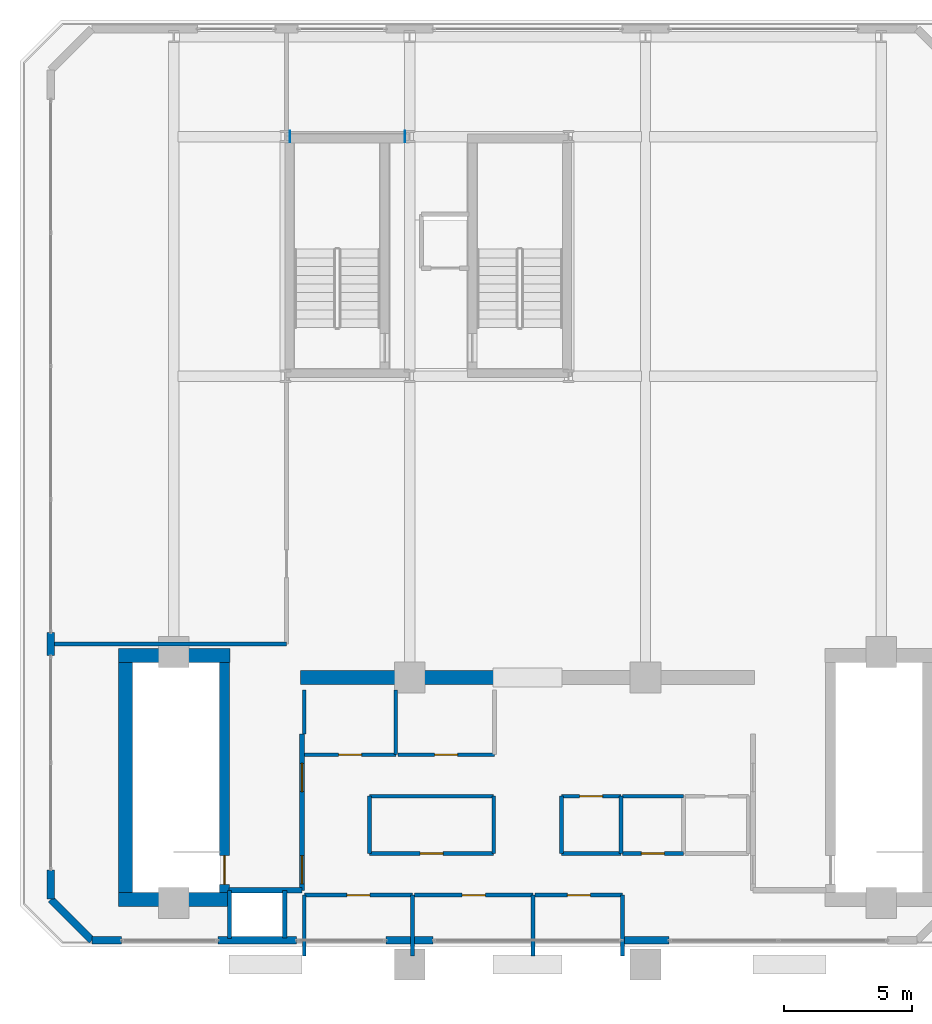
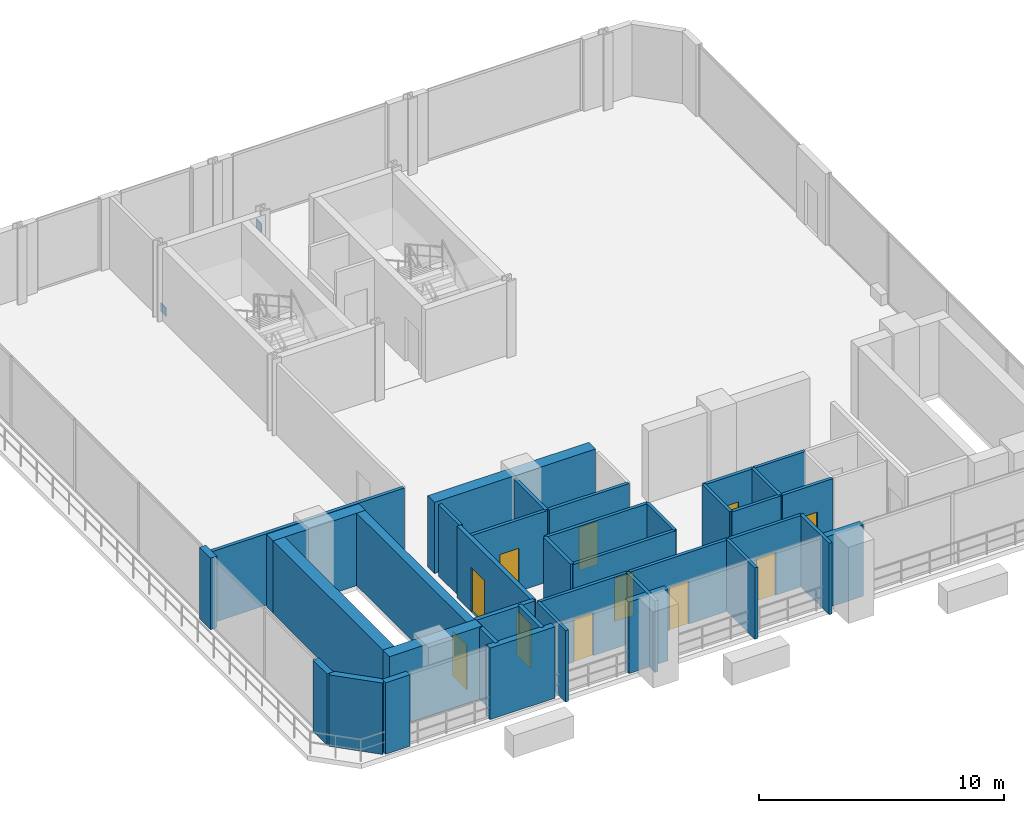
# One storey, part 21 of 26: 38 walls, 11 doors, 2 plates, 11 openings.
"""IFC4 building model written with IfcOpenShell, lengths in metres."""

import ifcopenshell
import ifcopenshell.guid

model = None  # the IFC model being written
_history = None  # IfcOwnerHistory: only IFC2X3 demands one
_inside = {}  # id of a spatial element -> (the spatial element, [elements in it])
_under = {}  # id of a project, library or spatial element -> (it, [spatial elements below it])
_declared = {}  # id of a project -> (the project, [libraries it declares])
_typed = {}  # id of a type object -> (the type object, [elements of that type])
_made_of = {}  # id of a material, layer set ... -> (it, [elements and type objects made of it])


def new_model(schema):
    """Start an empty IFC model of exactly this schema.

    Asked for "IFC4X3", IfcOpenShell would pick the latest addendum, in which some entities
    have other attributes; the version numbers below select the first issue.
    IFC2X3 requires an IfcOwnerHistory on every rooted entity: one is made here for all.
    """
    global model, _history
    if schema == "IFC4X3":
        model = ifcopenshell.file(schema_version=(4, 3, 0, 0))
    else:
        model = ifcopenshell.file(schema=schema)
    _inside.clear()
    _under.clear()
    _declared.clear()
    _typed.clear()
    _made_of.clear()
    _history = None
    if model.schema == "IFC2X3":
        org = make("IfcOrganization", Name="unknown")
        user = make(
            "IfcPersonAndOrganization",
            ThePerson=make("IfcPerson", FamilyName="unknown"),
            TheOrganization=org,
        )
        app = make(
            "IfcApplication",
            ApplicationDeveloper=org,
            Version="unknown",
            ApplicationFullName="unknown",
            ApplicationIdentifier="unknown",
        )
        _history = make(
            "IfcOwnerHistory",
            OwningUser=user,
            OwningApplication=app,
            ChangeAction="ADDED",
            CreationDate=0,
        )
    return model


def make(cls, **values):
    """One entity of the class cls with the attributes given. An attribute that is None is left unset."""
    return model.create_entity(
        cls, **{name: value for name, value in values.items() if value is not None}
    )


def rooted(cls, **values):
    """An entity with a GlobalId (a new one), such as an element, a storey or a relation."""
    return make(cls, GlobalId=ifcopenshell.guid.new(), OwnerHistory=_history, **values)


def si_unit(unit_type, name, prefix=None):
    """IfcSIUnit, for example si_unit("LENGTHUNIT", "METRE", prefix="MILLI")."""
    return make("IfcSIUnit", UnitType=unit_type, Prefix=prefix, Name=name)


def assignment(units):
    """IfcUnitAssignment: the units of a project."""
    return None if units is None else make("IfcUnitAssignment", Units=units)


def point(xyz):
    """IfcCartesianPoint."""
    return None if xyz is None else make("IfcCartesianPoint", Coordinates=xyz)


def direction(xyz):
    """IfcDirection."""
    return None if xyz is None else make("IfcDirection", DirectionRatios=xyz)


def frame(location, z_axis=None, x_axis=None):
    """IfcAxis2Placement3D, a coordinate frame: its origin and axes. An axis left out is left unset."""
    return make(
        "IfcAxis2Placement3D",
        Location=point(location),
        Axis=direction(z_axis),
        RefDirection=direction(x_axis),
    )


def frame_2d(location, x_axis=None):
    """IfcAxis2Placement2D, a coordinate frame in the plane: its origin and x axis."""
    return make(
        "IfcAxis2Placement2D", Location=point(location), RefDirection=direction(x_axis)
    )


def origin():
    """The frame at (0, 0, 0) with its axes left unset."""
    return frame((0.0, 0.0, 0.0))


def origin_2d():
    """The frame at (0, 0) in the plane with its x axis left unset."""
    return frame_2d((0.0, 0.0))


def place(relative_to, where):
    """IfcLocalPlacement: puts the frame where relative to a parent placement (None: the world)."""
    return make(
        "IfcLocalPlacement", PlacementRelTo=relative_to, RelativePlacement=where
    )


def context(
    kind, dimensions, precision=None, world=None, true_north=None, identifier=None
):
    """IfcGeometricRepresentationContext, for example the 3D "Model" context."""
    return make(
        "IfcGeometricRepresentationContext",
        ContextIdentifier=identifier,
        ContextType=kind,
        CoordinateSpaceDimension=dimensions,
        Precision=precision,
        WorldCoordinateSystem=world,
        TrueNorth=true_north,
    )


def subcontext(parent, identifier, kind, view, scale=None):
    """IfcGeometricRepresentationSubContext, for example "Body" below "Model"."""
    return make(
        "IfcGeometricRepresentationSubContext",
        ContextIdentifier=identifier,
        ContextType=kind,
        ParentContext=parent,
        TargetScale=scale,
        TargetView=view,
    )


def project(units=None, contexts=None):
    """IfcProject with its units and contexts."""
    return rooted(
        "IfcProject",
        Name="project",
        RepresentationContexts=contexts,
        UnitsInContext=assignment(units),
    )


def spatial(cls, under=None, at=None, **own):
    """A site, building, storey or space (cls), placed at a placement, below another one or the project."""
    s = rooted(cls, ObjectPlacement=at, **own)
    if under is not None:
        _under.setdefault(under.id(), (under, []))[1].append(s)
    return s


def profile(cls, at=None, kind="AREA", **sizes):
    """A parametric profile (cls). Its sizes go by their IFC names, for example OverallWidth=200.0."""
    return make(cls, ProfileType=kind, Position=at, **sizes)


def rectangle(**sizes):
    """IfcRectangleProfileDef."""
    return profile("IfcRectangleProfileDef", **sizes)


def extrude(swept, where, along, depth):
    """IfcExtrudedAreaSolid: the profile swept, set in the frame where, extruded along a direction by depth."""
    return make(
        "IfcExtrudedAreaSolid",
        SweptArea=swept,
        Position=where,
        ExtrudedDirection=direction(along),
        Depth=depth,
    )


def shape(context_of_items, identifier, shape_type, items):
    """IfcShapeRepresentation: the items that make up one representation, for example the "Body"."""
    return make(
        "IfcShapeRepresentation",
        ContextOfItems=context_of_items,
        RepresentationIdentifier=identifier,
        RepresentationType=shape_type,
        Items=items,
    )


def material(Name=None, Category=None):
    """IfcMaterial."""
    return make("IfcMaterial", Name=Name, Category=Category)


def layer(
    of_material, thickness, ventilated=None, Name=None, Category=None, Priority=None
):
    """IfcMaterialLayer: one layer of a wall or slab, of a material (None: an air gap)."""
    return make(
        "IfcMaterialLayer",
        Material=of_material,
        LayerThickness=thickness,
        IsVentilated=ventilated,
        Name=Name,
        Category=Category,
        Priority=Priority,
    )


def layer_set(layers, Name=None):
    """IfcMaterialLayerSet."""
    return make("IfcMaterialLayerSet", MaterialLayers=layers, LayerSetName=Name)


def made_of(thing, what):
    """Note that an element or type object is made of a material, layer set ...; save() writes the relation."""
    if what is not None:
        _made_of.setdefault(what.id(), (what, []))[1].append(thing)
    return thing


def type_object(cls, material=None, **own):
    """A type object (cls), such as IfcWallType, which elements share."""
    return made_of(rooted(cls, **own), material)


def element(
    cls,
    number,
    at=None,
    inside=None,
    cuts=None,
    type_object=None,
    material=None,
    context=None,
    identifier="Body",
    shape_type=None,
    held_by="IfcProductDefinitionShape",
    body=None,
    shapes=None,
    **own,
):
    """One element of the class cls, such as IfcWall. Its Tag is "e" and its number.

    at: its placement. inside: the storey or other place that contains it. cuts: it is an
    opening in that element (IfcRelVoidsElement). A single representation is given by context,
    identifier, shape_type and body (its items); several are given by shapes. held_by: the class
    of the entity that holds the representations. save() writes the other relations.
    """
    e = rooted(cls, Tag="e%d" % number, ObjectPlacement=at, **own)
    if body is not None:
        shapes = [shape(context, identifier, shape_type, body)]
    if shapes is not None:
        e.Representation = make(held_by, Representations=shapes)
    if inside is not None:
        _inside.setdefault(inside.id(), (inside, []))[1].append(e)
    if cuts is not None:
        rooted(
            "IfcRelVoidsElement", RelatingBuildingElement=cuts, RelatedOpeningElement=e
        )
    if type_object is not None:
        _typed.setdefault(type_object.id(), (type_object, []))[1].append(e)
    return made_of(e, material)


def fill(opening, filler):
    """IfcRelFillsElement: the door or window that sits in an opening."""
    return rooted(
        "IfcRelFillsElement",
        RelatingOpeningElement=opening,
        RelatedBuildingElement=filler,
    )


def aggregate(whole, parts):
    """IfcRelAggregates: a whole, such as a stair, and the parts it consists of."""
    return rooted("IfcRelAggregates", RelatingObject=whole, RelatedObjects=parts)


def save(model, path):
    """Write the relations noted so far, then the file.

    IfcRelAggregates (storeys below a building ...), IfcRelContainedInSpatialStructure (elements
    in a storey), IfcRelDefinesByType, IfcRelAssociatesMaterial and IfcRelDeclares: one each for
    every whole, place, type object, material and project.
    """
    for whole, parts in _under.values():
        aggregate(whole, parts)
    for where, things in _inside.values():
        rooted(
            "IfcRelContainedInSpatialStructure",
            RelatedElements=things,
            RelatingStructure=where,
        )
    for kind, things in _typed.values():
        rooted("IfcRelDefinesByType", RelatedObjects=things, RelatingType=kind)
    for what, things in _made_of.values():
        rooted("IfcRelAssociatesMaterial", RelatedObjects=things, RelatingMaterial=what)
    for by, libraries in _declared.values():
        rooted("IfcRelDeclares", RelatingContext=by, RelatedDefinitions=libraries)
    model.write(path)


model = new_model("IFC4")

# Units and contexts
model_context = context("Model", 3, precision=1e-05, world=origin(), true_north=direction((0.0, 1.0)))
body_context = subcontext(model_context, "Body", "Model", "MODEL_VIEW")
ifc_project = project(units=[si_unit("LENGTHUNIT", "METRE"), si_unit("AREAUNIT", "SQUARE_METRE"), si_unit("VOLUMEUNIT", "CUBIC_METRE"), si_unit("PLANEANGLEUNIT", "RADIAN"), si_unit("MASSUNIT", "GRAM", prefix="KILO")], contexts=[model_context])

# Site, building, storey
site_placement = place(None, origin())
site = spatial("IfcSite", under=ifc_project, at=site_placement, CompositionType="ELEMENT")
building_placement = place(site_placement, origin())
building = spatial("IfcBuilding", under=site, at=building_placement, Name="Zuhayl Quay Hotel", CompositionType="ELEMENT")
storey_placement = place(building_placement, frame((0.0, 0.0, 301.050048828125)))
storey = spatial("IfcBuildingStorey", under=building, at=storey_placement, Name="Crown 2", CompositionType="ELEMENT", Elevation=301.050048828125)

# Plates
ifc_material_1 = material(Name="Steel ASTM A572 Grade 50", Category="steel")
ifc_layer_1 = layer(ifc_material_1, 0.030029296875, Name="Steel ASTM A572 Grade 50", Category="steel")
ifc_layer_set_1 = layer_set([ifc_layer_1], Name="Steel ASTM A572 Grade 50")
plate_type = type_object("IfcPlateType", Name="TP_CAP_PLATE_30", PredefinedType="USERDEFINED", material=ifc_layer_set_1)
for number, where, z_axis, x_axis, name in (
    (1, (-9.2705078125, 34.449951171875, 0.1240234375), (0.0, 0.0, 1.0), (-1.0, 0.0, 0.0), "Truss Node Cap Assembly KN2"),
    (2, (-4.779541015625, 34.449951171875, 2.736083984375), (0.0, 0.0, 1.0), (1.0, 0.0, 0.0), "Truss Node Cap Assembly KN2"),
):
    element("IfcPlate", number, at=place(storey_placement, frame(where, z_axis=z_axis, x_axis=x_axis)), inside=storey, type_object=plate_type, Name=name, ObjectType="GUSSET PLATE", PredefinedType="USERDEFINED", context=body_context, shape_type="SweptSolid", body=[
        extrude(rectangle(XDim=0.030029296875, YDim=0.43994140625, at=origin_2d()), origin(), (0.0, 0.0, 1.0), 0.43994140625),
    ])

# Walls
ifc_material_2 = material(Name="Concrete C50/60", Category="concrete")
ifc_layer_2 = layer(ifc_material_2, 0.550048828125, Name="Concrete C50/60", Category="concrete")
ifc_layer_set_2 = layer_set([ifc_layer_2], Name="Concrete C50/60")
wall_type_1 = type_object("IfcWallType", Name="WL_CORE_550", PredefinedType="SHEAR", material=ifc_layer_set_2)
wall_1_placement = place(storey_placement, frame((-15.9599609375, 14.205078125, 0.0), z_axis=(0.0, 0.0, 1.0), x_axis=(1.0, 0.0, 0.0)))
element("IfcWall", 3, at=wall_1_placement, inside=storey, type_object=wall_type_1, Name="Crown 2 Core Shear Wall CW_NW", PredefinedType="SHEAR", context=body_context, shape_type="SweptSolid", body=[
    extrude(rectangle(XDim=4.35986328125, YDim=0.550048828125, at=frame_2d((2.179931640625, 0.0))), origin(), (0.0, 0.0, 1.0), 3.60986328125),
])
wall_2_placement = place(storey_placement, frame((-15.68505859375, 4.969970703125, 0.0), z_axis=(0.0, 0.0, 1.0), x_axis=(0.0, 1.0, 0.0)))
element("IfcWall", 4, at=wall_2_placement, inside=storey, type_object=wall_type_1, Name="Crown 2 Core Shear Wall CW_W", PredefinedType="SHEAR", context=body_context, shape_type="SweptSolid", body=[
    extrude(rectangle(XDim=8.9599609375, YDim=0.550048828125, at=frame_2d((4.47998046875, 0.0))), origin(), (0.0, 0.0, 1.0), 3.60986328125),
])
wall_3_placement = place(storey_placement, frame((-15.9599609375, 4.695068359375, 0.0), z_axis=(0.0, 0.0, 1.0), x_axis=(1.0, 0.0, 0.0)))
element("IfcWall", 5, at=wall_3_placement, inside=storey, type_object=wall_type_1, Name="Crown 2 Core Shear Wall CW_SW", PredefinedType="SHEAR", context=body_context, shape_type="SweptSolid", body=[
    extrude(rectangle(XDim=4.35986328125, YDim=0.550048828125, at=frame_2d((2.179931640625, 0.0))), origin(), (0.0, 0.0, 1.0), 3.60986328125),
])
wall_4_placement = place(storey_placement, frame((-8.85009765625, 13.35009765625, 0.0), z_axis=(0.0, 0.0, 1.0), x_axis=(1.0, 0.0, 0.0)))
element("IfcWall", 6, at=wall_4_placement, inside=storey, type_object=wall_type_1, Name="Crown 2 Core Shear Wall CW_NC_W", PredefinedType="SHEAR", context=body_context, shape_type="SweptSolid", body=[
    extrude(rectangle(XDim=7.60009765625, YDim=0.550048828125, at=frame_2d((3.800048828125, 0.0))), origin(), (0.0, 0.0, 1.0), 3.56005859375),
])
ifc_material_3 = material(Name="Precast concrete C45/55", Category="concrete")
ifc_layer_3 = layer(ifc_material_3, 0.300048828125, Name="Precast concrete C45/55", Category="concrete")
ifc_layer_set_3 = layer_set([ifc_layer_3], Name="Precast concrete C45/55")
wall_type_2 = type_object("IfcWallType", Name="WL_EXT_300", PredefinedType="STANDARD", material=ifc_layer_set_3)
wall_5_placement = place(storey_placement, frame((-18.60009765625, 4.699951171875, 0.0), z_axis=(0.0, 0.0, 1.0), x_axis=(0.0, 1.0, 0.0)))
element("IfcWall", 7, at=wall_5_placement, inside=storey, type_object=wall_type_2, Name="Crown 2 Exterior Precast Wall ENV_CR2_E1_EW1", PredefinedType="STANDARD", context=body_context, shape_type="SweptSolid", body=[
    extrude(rectangle(XDim=1.150146484375, YDim=0.300048828125, at=frame_2d((0.5751953125, 0.0))), origin(), (0.0, 0.0, 1.0), 3.56005859375),
])
wall_6_placement = place(storey_placement, frame((-18.60009765625, 14.199951171875, 0.0), z_axis=(0.0, 0.0, 1.0), x_axis=(0.0, 1.0, 0.0)))
element("IfcWall", 8, at=wall_6_placement, inside=storey, type_object=wall_type_2, Name="Crown 2 Exterior Precast Wall ENV_CR2_E1_EW2", PredefinedType="STANDARD", context=body_context, shape_type="SweptSolid", body=[
    extrude(rectangle(XDim=0.900146484375, YDim=0.300048828125, at=frame_2d((0.4501953125, 0.0))), origin(), (0.0, 0.0, 1.0), 3.56005859375),
])
for number, where, z_axis, x_axis, name in (
    (9, (5.52001953125, 3.10009765625, 0.0), (0.0, 0.0, 1.0), (-1.0, 0.0, 0.0), "Crown 2 Exterior Precast Wall ENV_CR2_E7_EW2"),
    (10, (-3.679931640625, 3.10009765625, 0.0), (0.0, 0.0, 1.0), (-1.0, 0.0, 0.0), "Crown 2 Exterior Precast Wall ENV_CR2_E7_EW3"),
):
    element("IfcWall", number, at=place(storey_placement, frame(where, z_axis=z_axis, x_axis=x_axis)), inside=storey, type_object=wall_type_2, Name=name, PredefinedType="STANDARD", context=body_context, shape_type="SweptSolid", body=[
        extrude(rectangle(XDim=1.840087890625, YDim=0.300048828125, at=frame_2d((0.919921875, 0.0))), origin(), (0.0, 0.0, 1.0), 3.56005859375),
    ])
wall_7_placement = place(storey_placement, frame((-9.02001953125, 3.10009765625, 0.0), z_axis=(0.0, 0.0, 1.0), x_axis=(-1.0, 0.0, 0.0)))
element("IfcWall", 11, at=wall_7_placement, inside=storey, type_object=wall_type_2, Name="Crown 2 Exterior Precast Wall ENV_CR2_E7_EW4", PredefinedType="STANDARD", context=body_context, shape_type="SweptSolid", body=[
    extrude(rectangle(XDim=3.06005859375, YDim=0.300048828125, at=frame_2d((1.530029296875, 0.0))), origin(), (0.0, 0.0, 1.0), 3.56005859375),
])
wall_8_placement = place(storey_placement, frame((-15.85009765625, 3.10009765625, 0.0), z_axis=(0.0, 0.0, 1.0), x_axis=(-1.0, 0.0, 0.0)))
element("IfcWall", 12, at=wall_8_placement, inside=storey, type_object=wall_type_2, Name="Crown 2 Exterior Precast Wall ENV_CR2_E7_EW5", PredefinedType="STANDARD", context=body_context, shape_type="SweptSolid", body=[
    extrude(rectangle(XDim=1.14990234375, YDim=0.300048828125, at=frame_2d((0.574951171875, 0.0))), origin(), (0.0, 0.0, 1.0), 3.56005859375),
])
wall_9_placement = place(storey_placement, frame((-17.0, 3.10009765625, 0.0), z_axis=(0.0, 0.0, 1.0), x_axis=(-0.707160727918, 0.707052830339, 0.0)))
element("IfcWall", 13, at=wall_9_placement, inside=storey, type_object=wall_type_2, Name="Crown 2 Exterior Precast Wall ENV_CR2_EW8", PredefinedType="STANDARD", context=body_context, shape_type="SweptSolid", body=[
    extrude(rectangle(XDim=2.2626953125, YDim=0.300048828125, at=frame_2d((1.13134765625, 0.0))), origin(), (0.0, 0.0, 1.0), 3.56005859375),
])

# Wall, opening, door
ifc_material_4 = material(Name="Acoustic Gypsum Partition STC-58")
ifc_layer_4 = layer(ifc_material_4, 0.14990234375, Name="Acoustic Gypsum Partition STC-58")
ifc_layer_set_4 = layer_set([ifc_layer_4], Name="Acoustic Gypsum Partition STC-58")
wall_type_3 = type_object("IfcWallType", Name="WL_PART_150", PredefinedType="PARTITIONING", material=ifc_layer_set_4)
wall_10_placement = place(storey_placement, frame((-8.7099609375, 4.860107421875, 0.0), z_axis=(0.0, 0.0, 1.0), x_axis=(1.0, 0.0, 0.0)))
wall_10 = element("IfcWall", 14, at=wall_10_placement, inside=storey, type_object=wall_type_3, Name="Crown 2 Partition IW_Crown 2_FMP_S1_N", PredefinedType="PARTITIONING", context=body_context, shape_type="SweptSolid", body=[
    extrude(rectangle(XDim=4.219970703125, YDim=0.14990234375, at=frame_2d((2.10986328125, 0.0))), origin(), (0.0, 0.0, 1.0), 3.56005859375),
])
opening_1_placement = place(wall_10_placement, frame((1.659912109375, 0.0, 0.0)))
opening_1 = element("IfcOpeningElement", 15, at=opening_1_placement, cuts=wall_10, Name="Opening D06", PredefinedType="OPENING", context=body_context, shape_type="SweptSolid", body=[
    extrude(rectangle(XDim=0.89990234375, YDim=2.14990234375, at=frame_2d((0.449951171875, 1.074951171875))), frame((0.0, 0.0849609375, 0.0), z_axis=(0.0, -1.0, 0.0), x_axis=(1.0, 0.0, 0.0)), (0.0, 0.0, 1.0), 0.169921875),
])
ifc_material_5 = material(Name="Steel ASTM A992 Grade 50", Category="steel")
door_type_1 = type_object("IfcDoorType", Name="DR_INT_900", OperationType="NOTDEFINED", PredefinedType="DOOR", material=ifc_material_5)
door_1_placement = place(opening_1_placement, origin())
door_1 = element("IfcDoor", 16, at=door_1_placement, inside=storey, type_object=door_type_1, Name="Crown 2 Silverware Pantry Door", OperationType="SINGLE_SWING_LEFT", OverallHeight=2.14990234375, OverallWidth=0.89990234375, PredefinedType="DOOR", context=body_context, shape_type="SweptSolid", body=[
    extrude(rectangle(XDim=0.89990234375, YDim=2.14990234375, at=frame_2d((0.449951171875, 1.074951171875))), frame((0.0, 0.02490234375, 0.0), z_axis=(0.0, -1.0, 0.0), x_axis=(1.0, 0.0, 0.0)), (0.0, 0.0, 1.0), 0.050048828125),
])
fill(opening_1, door_1)

wall_11_placement = place(storey_placement, frame((-4.409912109375, 4.860107421875, 0.0), z_axis=(0.0, 0.0, 1.0), x_axis=(1.0, 0.0, 0.0)))
wall_11 = element("IfcWall", 17, at=wall_11_placement, inside=storey, type_object=wall_type_3, Name="Crown 2 Partition IW_Crown 2_FMP_S2_N", PredefinedType="PARTITIONING", context=body_context, shape_type="SweptSolid", body=[
    extrude(rectangle(XDim=4.619873046875, YDim=0.14990234375, at=frame_2d((2.31005859375, 0.0))), origin(), (0.0, 0.0, 1.0), 3.56005859375),
])
opening_2_placement = place(wall_11_placement, frame((1.860107421875, 0.0, 0.0)))
opening_2 = element("IfcOpeningElement", 18, at=opening_2_placement, cuts=wall_11, Name="Opening D06", PredefinedType="OPENING", context=body_context, shape_type="SweptSolid", body=[
    extrude(rectangle(XDim=0.89990234375, YDim=2.14990234375, at=frame_2d((0.449951171875, 1.074951171875))), frame((0.0, 0.0849609375, 0.0), z_axis=(0.0, -1.0, 0.0), x_axis=(1.0, 0.0, 0.0)), (0.0, 0.0, 1.0), 0.169921875),
])
door_2_placement = place(opening_2_placement, origin())
door_2 = element("IfcDoor", 19, at=door_2_placement, inside=storey, type_object=door_type_1, Name="Crown 2 Crystal Store Door", OperationType="SINGLE_SWING_RIGHT", OverallHeight=2.14990234375, OverallWidth=0.89990234375, PredefinedType="DOOR", context=body_context, shape_type="SweptSolid", body=[
    extrude(rectangle(XDim=0.89990234375, YDim=2.14990234375, at=frame_2d((0.449951171875, 1.074951171875))), frame((0.0, 0.02490234375, 0.0), z_axis=(0.0, -1.0, 0.0), x_axis=(1.0, 0.0, 0.0)), (0.0, 0.0, 1.0), 0.050048828125),
])
fill(opening_2, door_2)

wall_12_placement = place(storey_placement, frame((0.2900390625, 4.860107421875, 0.0), z_axis=(0.0, 0.0, 1.0), x_axis=(1.0, 0.0, 0.0)))
wall_12 = element("IfcWall", 20, at=wall_12_placement, inside=storey, type_object=wall_type_3, Name="Crown 2 Partition IW_Crown 2_FMP_S3_N", PredefinedType="PARTITIONING", context=body_context, shape_type="SweptSolid", body=[
    extrude(rectangle(XDim=3.419921875, YDim=0.14990234375, at=frame_2d((1.7099609375, 0.0))), origin(), (0.0, 0.0, 1.0), 3.56005859375),
])
opening_3_placement = place(wall_12_placement, frame((1.260009765625, 0.0, 0.0)))
opening_3 = element("IfcOpeningElement", 21, at=opening_3_placement, cuts=wall_12, Name="Opening D06", PredefinedType="OPENING", context=body_context, shape_type="SweptSolid", body=[
    extrude(rectangle(XDim=0.89990234375, YDim=2.14990234375, at=frame_2d((0.449951171875, 1.074951171875))), frame((0.0, 0.0849609375, 0.0), z_axis=(0.0, -1.0, 0.0), x_axis=(1.0, 0.0, 0.0)), (0.0, 0.0, 1.0), 0.169921875),
])
door_3_placement = place(opening_3_placement, origin())
door_3 = element("IfcDoor", 22, at=door_3_placement, inside=storey, type_object=door_type_1, Name="Crown 2 China Linen Store Door", OperationType="SINGLE_SWING_LEFT", OverallHeight=2.14990234375, OverallWidth=0.89990234375, PredefinedType="DOOR", context=body_context, shape_type="SweptSolid", body=[
    extrude(rectangle(XDim=0.89990234375, YDim=2.14990234375, at=frame_2d((0.449951171875, 1.074951171875))), frame((0.0, 0.02490234375, 0.0), z_axis=(0.0, -1.0, 0.0), x_axis=(1.0, 0.0, 0.0)), (0.0, 0.0, 1.0), 0.050048828125),
])
fill(opening_3, door_3)

wall_13_placement = place(storey_placement, frame((-8.7099609375, 10.340087890625, 0.0), z_axis=(0.0, 0.0, 1.0), x_axis=(1.0, 0.0, 0.0)))
wall_13 = element("IfcWall", 23, at=wall_13_placement, inside=storey, type_object=wall_type_3, Name="Crown 2 Partition IW_Crown 2_FMP_N1_S", PredefinedType="PARTITIONING", context=body_context, shape_type="SweptSolid", body=[
    extrude(rectangle(XDim=3.570068359375, YDim=0.14990234375, at=frame_2d((1.78515625, 0.0))), origin(), (0.0, 0.0, 1.0), 3.56005859375),
])
opening_4_placement = place(wall_13_placement, frame((1.3349609375, 0.0, 0.0)))
opening_4 = element("IfcOpeningElement", 24, at=opening_4_placement, cuts=wall_13, Name="Opening D06", PredefinedType="OPENING", context=body_context, shape_type="SweptSolid", body=[
    extrude(rectangle(XDim=0.89990234375, YDim=2.14990234375, at=frame_2d((0.449951171875, 1.074951171875))), frame((0.0, 0.0849609375, 0.0), z_axis=(0.0, -1.0, 0.0), x_axis=(1.0, 0.0, 0.0)), (0.0, 0.0, 1.0), 0.169921875),
])
door_4_placement = place(opening_4_placement, origin())
door_4 = element("IfcDoor", 25, at=door_4_placement, inside=storey, type_object=door_type_1, Name="Crown 2 West Valet Bay Door", OperationType="SINGLE_SWING_RIGHT", OverallHeight=2.14990234375, OverallWidth=0.89990234375, PredefinedType="DOOR", context=body_context, shape_type="SweptSolid", body=[
    extrude(rectangle(XDim=0.89990234375, YDim=2.14990234375, at=frame_2d((0.449951171875, 1.074951171875))), frame((0.0, 0.02490234375, 0.0), z_axis=(0.0, -1.0, 0.0), x_axis=(1.0, 0.0, 0.0)), (0.0, 0.0, 1.0), 0.050048828125),
])
fill(opening_4, door_4)

wall_14_placement = place(storey_placement, frame((-5.06005859375, 10.340087890625, 0.0), z_axis=(0.0, 0.0, 1.0), x_axis=(1.0, 0.0, 0.0)))
wall_14 = element("IfcWall", 26, at=wall_14_placement, inside=storey, type_object=wall_type_3, Name="Crown 2 Partition IW_Crown 2_FMP_N2_S", PredefinedType="PARTITIONING", context=body_context, shape_type="SweptSolid", body=[
    extrude(rectangle(XDim=3.77001953125, YDim=0.14990234375, at=frame_2d((1.885009765625, 0.0))), origin(), (0.0, 0.0, 1.0), 3.56005859375),
])
opening_5_placement = place(wall_14_placement, frame((1.43505859375, 0.0, 0.0)))
opening_5 = element("IfcOpeningElement", 27, at=opening_5_placement, cuts=wall_14, Name="Opening D06", PredefinedType="OPENING", context=body_context, shape_type="SweptSolid", body=[
    extrude(rectangle(XDim=0.89990234375, YDim=2.14990234375, at=frame_2d((0.449951171875, 1.074951171875))), frame((0.0, 0.0849609375, 0.0), z_axis=(0.0, -1.0, 0.0), x_axis=(1.0, 0.0, 0.0)), (0.0, 0.0, 1.0), 0.169921875),
])
door_5_placement = place(opening_5_placement, origin())
door_5 = element("IfcDoor", 28, at=door_5_placement, inside=storey, type_object=door_type_1, Name="Crown 2 High-Zone Linen Bay Door", OperationType="SINGLE_SWING_LEFT", OverallHeight=2.14990234375, OverallWidth=0.89990234375, PredefinedType="DOOR", context=body_context, shape_type="SweptSolid", body=[
    extrude(rectangle(XDim=0.89990234375, YDim=2.14990234375, at=frame_2d((0.449951171875, 1.074951171875))), frame((0.0, 0.02490234375, 0.0), z_axis=(0.0, -1.0, 0.0), x_axis=(1.0, 0.0, 0.0)), (0.0, 0.0, 1.0), 0.050048828125),
])
fill(opening_5, door_5)

wall_15_placement = place(storey_placement, frame((-6.159912109375, 6.47998046875, 0.0), z_axis=(0.0, 0.0, 1.0), x_axis=(1.0, 0.0, 0.0)))
wall_15 = element("IfcWall", 29, at=wall_15_placement, inside=storey, type_object=wall_type_3, Name="Crown 2 Partition IW_Crown 2_CORE_SV_S", PredefinedType="PARTITIONING", context=body_context, shape_type="SweptSolid", body=[
    extrude(rectangle(XDim=4.83984375, YDim=0.14990234375, at=frame_2d((2.419921875, 0.0))), origin(), (0.0, 0.0, 1.0), 3.56005859375),
])
opening_6_placement = place(wall_15_placement, frame((1.969970703125, 0.0, 0.0)))
opening_6 = element("IfcOpeningElement", 30, at=opening_6_placement, cuts=wall_15, Name="Opening D06", PredefinedType="OPENING", context=body_context, shape_type="SweptSolid", body=[
    extrude(rectangle(XDim=0.89990234375, YDim=2.14990234375, at=frame_2d((0.449951171875, 1.074951171875))), frame((0.0, 0.0849609375, 0.0), z_axis=(0.0, -1.0, 0.0), x_axis=(1.0, 0.0, 0.0)), (0.0, 0.0, 1.0), 0.169921875),
])
door_6_placement = place(opening_6_placement, origin())
door_6 = element("IfcDoor", 31, at=door_6_placement, inside=storey, type_object=door_type_1, Name="Crown 2 Core Ice and Linen Store Door", OperationType="SINGLE_SWING_RIGHT", OverallHeight=2.14990234375, OverallWidth=0.89990234375, PredefinedType="DOOR", context=body_context, shape_type="SweptSolid", body=[
    extrude(rectangle(XDim=0.89990234375, YDim=2.14990234375, at=frame_2d((0.449951171875, 1.074951171875))), frame((0.0, 0.02490234375, 0.0), z_axis=(0.0, -1.0, 0.0), x_axis=(1.0, 0.0, 0.0)), (0.0, 0.0, 1.0), 0.050048828125),
])
fill(opening_6, door_6)

wall_16_placement = place(storey_placement, frame((1.320068359375, 8.719970703125, 0.0), z_axis=(0.0, 0.0, 1.0), x_axis=(1.0, 0.0, 0.0)))
wall_16 = element("IfcWall", 32, at=wall_16_placement, inside=storey, type_object=wall_type_3, Name="Crown 2 Partition IW_Crown 2_CORE_E1_N", PredefinedType="PARTITIONING", context=body_context, shape_type="SweptSolid", body=[
    extrude(rectangle(XDim=2.31982421875, YDim=0.14990234375, at=frame_2d((1.159912109375, 0.0))), origin(), (0.0, 0.0, 1.0), 3.56005859375),
])
opening_7_placement = place(wall_16_placement, frame((0.7099609375, 0.0, 0.0)))
opening_7 = element("IfcOpeningElement", 33, at=opening_7_placement, cuts=wall_16, Name="Opening D06", PredefinedType="OPENING", context=body_context, shape_type="SweptSolid", body=[
    extrude(rectangle(XDim=0.89990234375, YDim=2.14990234375, at=frame_2d((0.449951171875, 1.074951171875))), frame((0.0, 0.0849609375, 0.0), z_axis=(0.0, -1.0, 0.0), x_axis=(1.0, 0.0, 0.0)), (0.0, 0.0, 1.0), 0.169921875),
])
door_7_placement = place(opening_7_placement, origin())
door_7 = element("IfcDoor", 34, at=door_7_placement, inside=storey, type_object=door_type_1, Name="Crown 2 Floor Electrical Closet Door", OperationType="SINGLE_SWING_LEFT", OverallHeight=2.14990234375, OverallWidth=0.89990234375, PredefinedType="DOOR", context=body_context, shape_type="SweptSolid", body=[
    extrude(rectangle(XDim=0.89990234375, YDim=2.14990234375, at=frame_2d((0.449951171875, 1.074951171875))), frame((0.0, 0.02490234375, 0.0), z_axis=(0.0, -1.0, 0.0), x_axis=(1.0, 0.0, 0.0)), (0.0, 0.0, 1.0), 0.050048828125),
])
fill(opening_7, door_7)

wall_17_placement = place(storey_placement, frame((3.699951171875, 6.47998046875, 0.0), z_axis=(0.0, 0.0, 1.0), x_axis=(1.0, 0.0, 0.0)))
wall_17 = element("IfcWall", 35, at=wall_17_placement, inside=storey, type_object=wall_type_3, Name="Crown 2 Partition IW_Crown 2_CORE_E2_S", PredefinedType="PARTITIONING", context=body_context, shape_type="SweptSolid", body=[
    extrude(rectangle(XDim=2.380126953125, YDim=0.14990234375, at=frame_2d((1.18994140625, 0.0))), origin(), (0.0, 0.0, 1.0), 3.56005859375),
])
opening_8_placement = place(wall_17_placement, frame((0.739990234375, 0.0, 0.0)))
opening_8 = element("IfcOpeningElement", 36, at=opening_8_placement, cuts=wall_17, Name="Opening D06", PredefinedType="OPENING", context=body_context, shape_type="SweptSolid", body=[
    extrude(rectangle(XDim=0.89990234375, YDim=2.14990234375, at=frame_2d((0.449951171875, 1.074951171875))), frame((0.0, 0.0849609375, 0.0), z_axis=(0.0, -1.0, 0.0), x_axis=(1.0, 0.0, 0.0)), (0.0, 0.0, 1.0), 0.169921875),
])
door_8_placement = place(opening_8_placement, origin())
door_8 = element("IfcDoor", 37, at=door_8_placement, inside=storey, type_object=door_type_1, Name="Crown 2 Data Closet Door", OperationType="SINGLE_SWING_RIGHT", OverallHeight=2.14990234375, OverallWidth=0.89990234375, PredefinedType="DOOR", context=body_context, shape_type="SweptSolid", body=[
    extrude(rectangle(XDim=0.89990234375, YDim=2.14990234375, at=frame_2d((0.449951171875, 1.074951171875))), frame((0.0, 0.02490234375, 0.0), z_axis=(0.0, -1.0, 0.0), x_axis=(1.0, 0.0, 0.0)), (0.0, 0.0, 1.0), 0.050048828125),
])
fill(opening_8, door_8)

# Walls
for number, where, z_axis, x_axis, name in (
    (38, (-8.7099609375, 2.489990234375, 0.0), (0.0, 0.0, 1.0), (0.0, 1.0, 0.0), "Crown 2 Partition IW_Crown 2_FMP_S1_W"),
    (39, (-4.489990234375, 2.489990234375, 0.0), (0.0, 0.0, 1.0), (0.0, 1.0, 0.0), "Crown 2 Partition IW_Crown 2_FMP_S1_E"),
    (40, (0.2099609375, 2.489990234375, 0.0), (0.0, 0.0, 1.0), (0.0, 1.0, 0.0), "Crown 2 Partition IW_Crown 2_FMP_S2_E"),
    (41, (3.7099609375, 2.489990234375, 0.0), (0.0, 0.0, 1.0), (0.0, 1.0, 0.0), "Crown 2 Partition IW_Crown 2_FMP_S3_E"),
):
    element("IfcWall", number, at=place(storey_placement, frame(where, z_axis=z_axis, x_axis=x_axis)), inside=storey, type_object=wall_type_3, Name=name, PredefinedType="PARTITIONING", context=body_context, shape_type="SweptSolid", body=[
        extrude(rectangle(XDim=2.3701171875, YDim=0.14990234375, at=frame_2d((1.18505859375, 0.0))), origin(), (0.0, 0.0, 1.0), 3.56005859375),
    ])
wall_18_placement = place(storey_placement, frame((-8.7099609375, 11.14990234375, 0.0), z_axis=(0.0, 0.0, 1.0), x_axis=(0.0, 1.0, 0.0)))
element("IfcWall", 42, at=wall_18_placement, inside=storey, type_object=wall_type_3, Name="Crown 2 Partition IW_Crown 2_FMP_N1_W", PredefinedType="PARTITIONING", context=body_context, shape_type="SweptSolid", body=[
    extrude(rectangle(XDim=1.710205078125, YDim=0.14990234375, at=frame_2d((0.85498046875, 0.0))), origin(), (0.0, 0.0, 1.0), 3.56005859375),
])
wall_19_placement = place(storey_placement, frame((-5.139892578125, 10.340087890625, 0.0), z_axis=(0.0, 0.0, 1.0), x_axis=(0.0, 1.0, 0.0)))
element("IfcWall", 43, at=wall_19_placement, inside=storey, type_object=wall_type_3, Name="Crown 2 Partition IW_Crown 2_FMP_N1_E", PredefinedType="PARTITIONING", context=body_context, shape_type="SweptSolid", body=[
    extrude(rectangle(XDim=2.52001953125, YDim=0.14990234375, at=frame_2d((1.260009765625, 0.0))), origin(), (0.0, 0.0, 1.0), 3.56005859375),
])
wall_20_placement = place(storey_placement, frame((-6.159912109375, 8.719970703125, 0.0), z_axis=(0.0, 0.0, 1.0), x_axis=(1.0, 0.0, 0.0)))
element("IfcWall", 44, at=wall_20_placement, inside=storey, type_object=wall_type_3, Name="Crown 2 Partition IW_Crown 2_CORE_SV_N", PredefinedType="PARTITIONING", context=body_context, shape_type="SweptSolid", body=[
    extrude(rectangle(XDim=4.83984375, YDim=0.14990234375, at=frame_2d((2.419921875, 0.0))), origin(), (0.0, 0.0, 1.0), 3.56005859375),
])
for number, where, z_axis, x_axis, name in (
    (45, (-6.159912109375, 6.47998046875, 0.0), (0.0, 0.0, 1.0), (0.0, 1.0, 0.0), "Crown 2 Partition IW_Crown 2_CORE_SV_W"),
    (46, (-1.320068359375, 6.47998046875, 0.0), (0.0, 0.0, 1.0), (0.0, 1.0, 0.0), "Crown 2 Partition IW_Crown 2_CORE_SV_E"),
):
    element("IfcWall", number, at=place(storey_placement, frame(where, z_axis=z_axis, x_axis=x_axis)), inside=storey, type_object=wall_type_3, Name=name, PredefinedType="PARTITIONING", context=body_context, shape_type="SweptSolid", body=[
        extrude(rectangle(XDim=2.239990234375, YDim=0.14990234375, at=frame_2d((1.1201171875, 0.0))), origin(), (0.0, 0.0, 1.0), 3.56005859375),
    ])
wall_21_placement = place(storey_placement, frame((1.320068359375, 6.47998046875, 0.0), z_axis=(0.0, 0.0, 1.0), x_axis=(1.0, 0.0, 0.0)))
element("IfcWall", 47, at=wall_21_placement, inside=storey, type_object=wall_type_3, Name="Crown 2 Partition IW_Crown 2_CORE_E1_S", PredefinedType="PARTITIONING", context=body_context, shape_type="SweptSolid", body=[
    extrude(rectangle(XDim=2.31982421875, YDim=0.14990234375, at=frame_2d((1.159912109375, 0.0))), origin(), (0.0, 0.0, 1.0), 3.56005859375),
])
for number, where, z_axis, x_axis, name in (
    (48, (1.320068359375, 6.47998046875, 0.0), (0.0, 0.0, 1.0), (0.0, 1.0, 0.0), "Crown 2 Partition IW_Crown 2_CORE_E1_W"),
    (49, (3.639892578125, 6.47998046875, 0.0), (0.0, 0.0, 1.0), (0.0, 1.0, 0.0), "Crown 2 Partition IW_Crown 2_CORE_E1_E"),
):
    element("IfcWall", number, at=place(storey_placement, frame(where, z_axis=z_axis, x_axis=x_axis)), inside=storey, type_object=wall_type_3, Name=name, PredefinedType="PARTITIONING", context=body_context, shape_type="SweptSolid", body=[
        extrude(rectangle(XDim=2.239990234375, YDim=0.14990234375, at=frame_2d((1.1201171875, 0.0))), origin(), (0.0, 0.0, 1.0), 3.56005859375),
    ])
wall_22_placement = place(storey_placement, frame((3.699951171875, 8.719970703125, 0.0), z_axis=(0.0, 0.0, 1.0), x_axis=(1.0, 0.0, 0.0)))
element("IfcWall", 50, at=wall_22_placement, inside=storey, type_object=wall_type_3, Name="Crown 2 Partition IW_Crown 2_CORE_E2_N", PredefinedType="PARTITIONING", context=body_context, shape_type="SweptSolid", body=[
    extrude(rectangle(XDim=2.380126953125, YDim=0.14990234375, at=frame_2d((1.18994140625, 0.0))), origin(), (0.0, 0.0, 1.0), 3.56005859375),
])
ifc_layer_5 = layer(ifc_material_4, 0.159912109375, Name="Acoustic Gypsum Partition STC-58")
ifc_layer_set_5 = layer_set([ifc_layer_5], Name="Acoustic Gypsum Partition STC-58")
wall_type_4 = type_object("IfcWallType", Name="WL_PART_CORR_160", PredefinedType="PARTITIONING", material=ifc_layer_set_5)
wall_23_placement = place(storey_placement, frame((-18.5400390625, 14.64990234375, 0.0), z_axis=(0.0, 0.0, 1.0), x_axis=(1.0, 0.0, 0.0)))
element("IfcWall", 51, at=wall_23_placement, inside=storey, type_object=wall_type_4, Name="Crown 2 Partition IW_CR2_PLT_S", PredefinedType="PARTITIONING", context=body_context, shape_type="SweptSolid", body=[
    extrude(rectangle(XDim=9.14013671875, YDim=0.159912109375, at=frame_2d((4.570068359375, 0.0))), origin(), (0.0, 0.0, 1.0), 3.56005859375),
])
ifc_material_6 = material(Name="Gypsum Fireboard Assembly EI-90")
ifc_layer_6 = layer(ifc_material_6, 0.1650390625, Name="Gypsum Fireboard Assembly EI-90")
ifc_layer_set_6 = layer_set([ifc_layer_6], Name="Gypsum Fireboard Assembly EI-90")
wall_type_5 = type_object("IfcWallType", Name="WL_PART_SHAFT_160", PredefinedType="PARTITIONING", material=ifc_layer_set_6)
wall_24_placement = place(storey_placement, frame((-11.6298828125, 3.169921875, 0.0), z_axis=(0.0, 0.0, 1.0), x_axis=(0.0, 1.0, 0.0)))
element("IfcWall", 52, at=wall_24_placement, inside=storey, type_object=wall_type_5, Name="Crown 2 Partition IW_Crown 2_RISER_W", PredefinedType="PARTITIONING", context=body_context, shape_type="SweptSolid", body=[
    extrude(rectangle(XDim=1.880126953125, YDim=0.1650390625, at=frame_2d((0.93994140625, 0.0))), origin(), (0.0, 0.0, 1.0), 3.56005859375),
])
ifc_layer_7 = layer(ifc_material_6, 0.179931640625, Name="Gypsum Fireboard Assembly EI-90")
ifc_layer_set_7 = layer_set([ifc_layer_7], Name="Gypsum Fireboard Assembly EI-90")
wall_type_6 = type_object("IfcWallType", Name="WL_PART_SHAFT_180", PredefinedType="PARTITIONING", material=ifc_layer_set_7)
wall_25_placement = place(storey_placement, frame((-9.469970703125, 3.179931640625, 0.0), z_axis=(0.0, 0.0, 1.0), x_axis=(0.0, 1.0, 0.0)))
element("IfcWall", 53, at=wall_25_placement, inside=storey, type_object=wall_type_6, Name="Crown 2 Partition IW_Crown 2_RISER_E", PredefinedType="PARTITIONING", context=body_context, shape_type="SweptSolid", body=[
    extrude(rectangle(XDim=1.8701171875, YDim=0.179931640625, at=frame_2d((0.93505859375, 0.0))), origin(), (0.0, 0.0, 1.0), 3.56005859375),
])

# Wall, openings, doors
ifc_material_7 = material(Name="Gypsum Fireboard Assembly EI-120")
ifc_layer_8 = layer(ifc_material_7, 0.199951171875, Name="Gypsum Fireboard Assembly EI-120")
ifc_layer_set_8 = layer_set([ifc_layer_8], Name="Gypsum Fireboard Assembly EI-120")
wall_type_7 = type_object("IfcWallType", Name="WL_PART_SHAFT_200", PredefinedType="PARTITIONING", material=ifc_layer_set_8)
wall_26_placement = place(storey_placement, frame((-8.800048828125, 5.050048828125, 0.0), z_axis=(0.0, 0.0, 1.0), x_axis=(0.0, 1.0, 0.0)))
wall_26 = element("IfcWall", 54, at=wall_26_placement, inside=storey, type_object=wall_type_7, Name="Crown 2 Partition IW_Crown 2_FSAE_W_E", PredefinedType="PARTITIONING", context=body_context, shape_type="SweptSolid", body=[
    extrude(rectangle(XDim=6.099853515625, YDim=0.199951171875, at=frame_2d((3.0498046875, 0.0))), origin(), (0.0, 0.0, 1.0), 3.56005859375),
])
opening_9_placement = place(wall_26_placement, frame((0.25, 0.0, 0.0)))
opening_9 = element("IfcOpeningElement", 55, at=opening_9_placement, cuts=wall_26, Name="Opening D02", PredefinedType="OPENING", context=body_context, shape_type="SweptSolid", body=[
    extrude(rectangle(XDim=1.10009765625, YDim=2.199951171875, at=frame_2d((0.550048828125, 1.10009765625))), frame((0.0, 0.10986328125, 0.0), z_axis=(0.0, -1.0, 0.0), x_axis=(1.0, 0.0, 0.0)), (0.0, 0.0, 1.0), 0.219970703125),
])
opening_10_placement = place(wall_26_placement, frame((3.85009765625, 0.0, 0.0)))
opening_10 = element("IfcOpeningElement", 56, at=opening_10_placement, cuts=wall_26, Name="Opening D02", PredefinedType="OPENING", context=body_context, shape_type="SweptSolid", body=[
    extrude(rectangle(XDim=1.10009765625, YDim=2.199951171875, at=frame_2d((0.550048828125, 1.10009765625))), frame((0.0, 0.10986328125, 0.0), z_axis=(0.0, -1.0, 0.0), x_axis=(1.0, 0.0, 0.0)), (0.0, 0.0, 1.0), 0.219970703125),
])
door_type_2 = type_object("IfcDoorType", Name="DR_FIRE_90_1100", OperationType="NOTDEFINED", PredefinedType="DOOR", material=ifc_material_5)
door_9_placement = place(opening_9_placement, origin())
door_9 = element("IfcDoor", 57, at=door_9_placement, inside=storey, type_object=door_type_2, Name="Crown 2 FSAE Lobby West South Entry Door", OperationType="SINGLE_SWING_LEFT", OverallHeight=2.199951171875, OverallWidth=1.10009765625, PredefinedType="DOOR", context=body_context, shape_type="SweptSolid", body=[
    extrude(rectangle(XDim=1.10009765625, YDim=2.199951171875, at=frame_2d((0.550048828125, 1.10009765625))), frame((0.0, 0.02490234375, 0.0), z_axis=(0.0, -1.0, 0.0), x_axis=(1.0, 0.0, 0.0)), (0.0, 0.0, 1.0), 0.050048828125),
])
fill(opening_9, door_9)
door_10_placement = place(opening_10_placement, origin())
door_10 = element("IfcDoor", 58, at=door_10_placement, inside=storey, type_object=door_type_2, Name="Crown 2 FSAE Lobby West North Entry Door", OperationType="SINGLE_SWING_RIGHT", OverallHeight=2.199951171875, OverallWidth=1.10009765625, PredefinedType="DOOR", context=body_context, shape_type="SweptSolid", body=[
    extrude(rectangle(XDim=1.10009765625, YDim=2.199951171875, at=frame_2d((0.550048828125, 1.10009765625))), frame((0.0, 0.02490234375, 0.0), z_axis=(0.0, -1.0, 0.0), x_axis=(1.0, 0.0, 0.0)), (0.0, 0.0, 1.0), 0.050048828125),
])
fill(opening_10, door_10)

# Wall
wall_27_placement = place(storey_placement, frame((-11.64990234375, 5.050048828125, 0.0), z_axis=(0.0, 0.0, 1.0), x_axis=(1.0, 0.0, 0.0)))
element("IfcWall", 59, at=wall_27_placement, inside=storey, type_object=wall_type_7, Name="Crown 2 Partition IW_Crown 2_FSAE_W_S", PredefinedType="PARTITIONING", context=body_context, shape_type="SweptSolid", body=[
    extrude(rectangle(XDim=2.849853515625, YDim=0.199951171875, at=frame_2d((1.4248046875, 0.0))), origin(), (0.0, 0.0, 1.0), 3.56005859375),
])

# Wall, opening, door
ifc_material_8 = material(Name="Concrete C60/75", Category="concrete")
ifc_layer_9 = layer(ifc_material_8, 0.39990234375, Name="Concrete C60/75", Category="concrete")
ifc_layer_set_9 = layer_set([ifc_layer_9], Name="Concrete C60/75")
wall_type_8 = type_object("IfcWallType", Name="WL_STAIR_400", PredefinedType="SHEAR", material=ifc_layer_set_9)
wall_28_placement = place(storey_placement, frame((-11.820068359375, 4.969970703125, 0.0), z_axis=(0.0, 0.0, 1.0), x_axis=(0.0, 1.0, 0.0)))
wall_28 = element("IfcWall", 60, at=wall_28_placement, inside=storey, type_object=wall_type_8, Name="Crown 2 Core Shear Wall SW_ST1", PredefinedType="SHEAR", context=body_context, shape_type="SweptSolid", body=[
    extrude(rectangle(XDim=8.9599609375, YDim=0.39990234375, at=frame_2d((4.47998046875, 0.0))), origin(), (0.0, 0.0, 1.0), 3.60986328125),
])
opening_11_placement = place(wall_28_placement, frame((0.31005859375, 0.0, 0.0)))
opening_11 = element("IfcOpeningElement", 61, at=opening_11_placement, cuts=wall_28, Name="Opening D01", PredefinedType="OPENING", context=body_context, shape_type="SweptSolid", body=[
    extrude(rectangle(XDim=1.1201171875, YDim=2.219970703125, at=frame_2d((0.56005859375, 1.10986328125))), frame((0.0, 0.2099609375, 0.0), z_axis=(0.0, -1.0, 0.0), x_axis=(1.0, 0.0, 0.0)), (0.0, 0.0, 1.0), 0.419921875),
])
door_type_3 = type_object("IfcDoorType", Name="DR_STAIR_90_1100", OperationType="NOTDEFINED", PredefinedType="DOOR", material=ifc_material_5)
door_11_placement = place(opening_11_placement, origin())
door_11 = element("IfcDoor", 62, at=door_11_placement, inside=storey, type_object=door_type_3, Name="Crown 2 Smokeproof Exit Stair ST1 Door", OperationType="SINGLE_SWING_LEFT", OverallHeight=2.219970703125, OverallWidth=1.1201171875, PredefinedType="DOOR", context=body_context, shape_type="SweptSolid", body=[
    extrude(rectangle(XDim=1.1201171875, YDim=2.219970703125, at=frame_2d((0.56005859375, 1.10986328125))), frame((0.0, 0.02490234375, 0.0), z_axis=(0.0, -1.0, 0.0), x_axis=(1.0, 0.0, 0.0)), (0.0, 0.0, 1.0), 0.050048828125),
])
fill(opening_11, door_11)

save(model, "model.ifc")
